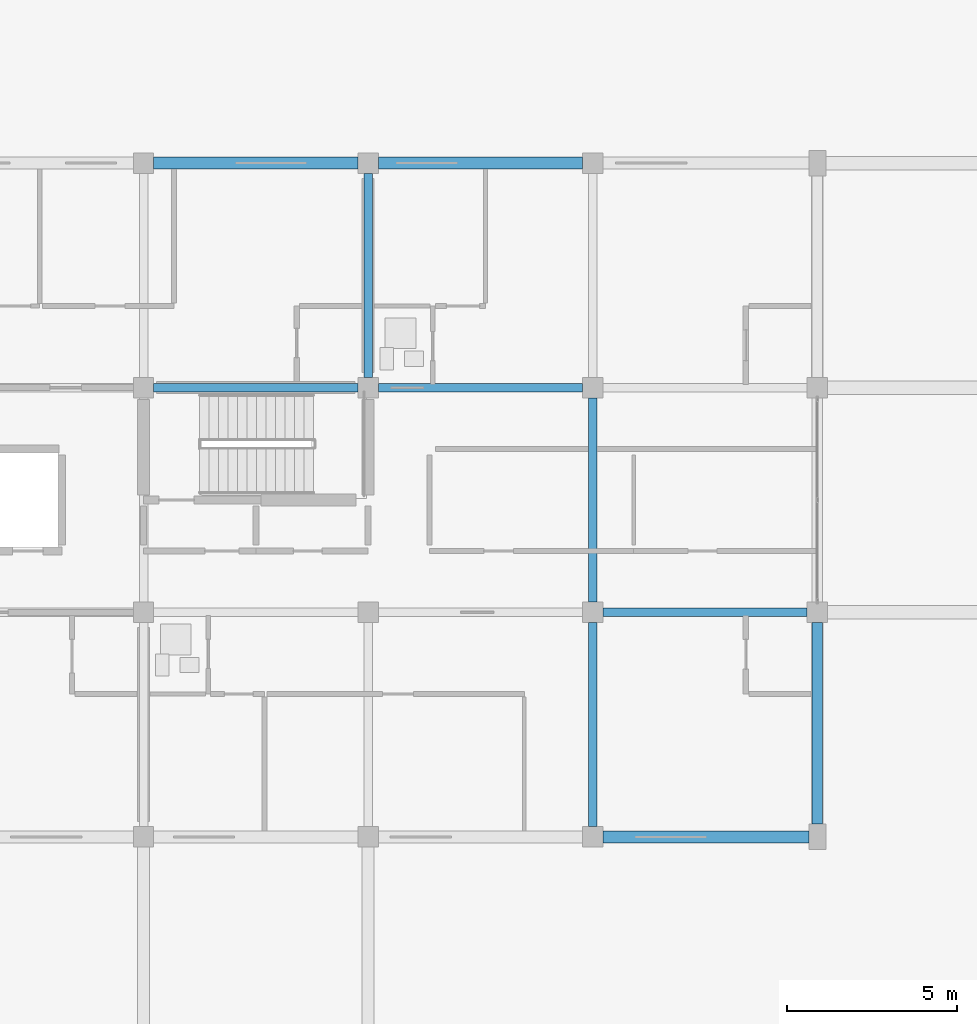
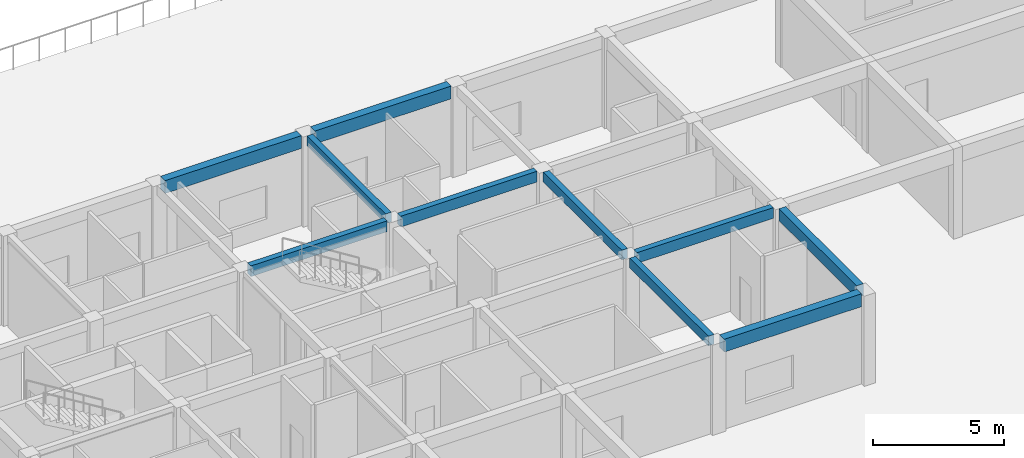
# One storey, part 36 of 92: 10 beams.
"""IFC4 building model written with IfcOpenShell, lengths in metres."""

from ifc_helpers import new_model, si_unit, direction, frame, origin, origin_2d, place, context, subcontext, project, spatial, rectangle, extrude, material, material_profile, profile_set, type_object, element, save


model = new_model("IFC4")

# Units and contexts
model_context = context("Model", 3, precision=1e-05, world=origin(), true_north=direction((0.0, 1.0)))
body_context = subcontext(model_context, "Body", "Model", "MODEL_VIEW")
ifc_project = project(units=[si_unit("LENGTHUNIT", "METRE"), si_unit("AREAUNIT", "SQUARE_METRE"), si_unit("VOLUMEUNIT", "CUBIC_METRE"), si_unit("PLANEANGLEUNIT", "RADIAN"), si_unit("MASSUNIT", "GRAM", prefix="KILO")], contexts=[model_context])

# Site, building, storey
site_placement = place(None, origin())
site = spatial("IfcSite", under=ifc_project, at=site_placement, CompositionType="ELEMENT")
building_placement = place(site_placement, origin())
building = spatial("IfcBuilding", under=site, at=building_placement, Name="Kernevlak Ridge Housing Community", CompositionType="ELEMENT")
storey_placement = place(building_placement, frame((0.0, 0.0, 4.199951171875)))
storey = spatial("IfcBuildingStorey", under=building, at=storey_placement, Name="L01", CompositionType="ELEMENT", Elevation=4.199951171875)

# Beams
ifc_material = material(Name="Concrete C35/45", Category="concrete")
ifc_material_profile_1 = material_profile(ifc_material, rectangle(XDim=0.25, YDim=0.449951171875, at=origin_2d()), Name="RC 250x450")
ifc_profile_set_1 = profile_set([ifc_material_profile_1], Name="Concrete C35/45")
beam_type_1 = type_object("IfcBeamType", Name="B-04", PredefinedType="T_BEAM", material=ifc_profile_set_1)
for number, where, z_axis, x_axis, name in (
    (1, (35.39990234375, 89.5, 3.97509765625), (0.0, 1.0, 0.0), (-1.0, 0.0, 0.0), "Beam B-04 L01 102"),
    (2, (42.0, 76.300048828125, 3.97509765625), (0.0, 1.0, 0.0), (-1.0, 0.0, 0.0), "Beam B-04 L01 103"),
    (3, (42.0, 82.89990234375, 3.97509765625), (0.0, 1.0, 0.0), (-1.0, 0.0, 0.0), "Beam B-04 L01 104"),
):
    element("IfcBeam", number, at=place(storey_placement, frame(where, z_axis=z_axis, x_axis=x_axis)), inside=storey, type_object=beam_type_1, Name=name, PredefinedType="T_BEAM", context=body_context, shape_type="SweptSolid", body=[
        extrude(rectangle(XDim=0.25, YDim=0.449951171875, at=origin_2d()), origin(), (0.0, 0.0, 1.0), 6.0),
    ])
ifc_material_profile_2 = material_profile(ifc_material, rectangle(XDim=0.25, YDim=0.5, at=origin_2d()), Name="RC 250x500")
ifc_profile_set_2 = profile_set([ifc_material_profile_2], Name="Concrete C35/45")
beam_type_2 = type_object("IfcBeamType", Name="B-06", PredefinedType="T_BEAM", material=ifc_profile_set_2)
for number, where, z_axis, x_axis, name in (
    (4, (42.300048828125, 82.60009765625, 3.949951171875), (1.0, 0.0, 0.0), (0.0, 1.0, 0.0), "Beam B-06 L01 82"),
    (5, (29.10009765625, 89.199951171875, 3.949951171875), (1.0, 0.0, 0.0), (0.0, 1.0, 0.0), "Beam B-06 L01 85"),
    (6, (35.699951171875, 89.199951171875, 3.949951171875), (1.0, 0.0, 0.0), (0.0, 1.0, 0.0), "Beam B-06 L01 86"),
):
    element("IfcBeam", number, at=place(storey_placement, frame(where, z_axis=z_axis, x_axis=x_axis)), inside=storey, type_object=beam_type_2, Name=name, PredefinedType="T_BEAM", context=body_context, shape_type="SweptSolid", body=[
        extrude(rectangle(XDim=0.25, YDim=0.5, at=origin_2d()), origin(), (0.0, 0.0, 1.0), 6.0),
    ])
ifc_material_profile_3 = material_profile(ifc_material, rectangle(XDim=0.300048828125, YDim=0.550048828125, at=origin_2d()), Name="RC 300x550")
ifc_profile_set_3 = profile_set([ifc_material_profile_3], Name="Concrete C35/45")
beam_type_3 = type_object("IfcBeamType", Name="SP-01", PredefinedType="SPANDREL", material=ifc_profile_set_3)
beam_1_placement = place(storey_placement, frame((48.60009765625, 76.375, 3.925048828125), z_axis=(0.0, 1.0, 0.0), x_axis=(-1.0, 0.0, 0.0)))
element("IfcBeam", 7, at=beam_1_placement, inside=storey, type_object=beam_type_3, Name="Beam SP-01 L01 106", PredefinedType="SPANDREL", context=body_context, shape_type="SweptSolid", body=[
    extrude(rectangle(XDim=0.300048828125, YDim=0.550048828125, at=origin_2d()), origin(), (0.0, 0.0, 1.0), 5.925048828125),
])
ifc_material_profile_4 = material_profile(ifc_material, rectangle(XDim=0.35009765625, YDim=0.60009765625, at=origin_2d()), Name="RC 350x600")
ifc_profile_set_4 = profile_set([ifc_material_profile_4], Name="Concrete C35/45")
beam_type_4 = type_object("IfcBeamType", Name="SP-03", PredefinedType="SPANDREL", material=ifc_profile_set_4)
beam_2_placement = place(storey_placement, frame((42.300048828125, 76.0, 3.900146484375), z_axis=(1.0, 0.0, 0.0), x_axis=(0.0, 1.0, 0.0)))
element("IfcBeam", 8, at=beam_2_placement, inside=storey, type_object=beam_type_4, Name="Beam SP-03 L01 77", PredefinedType="SPANDREL", context=body_context, shape_type="SweptSolid", body=[
    extrude(rectangle(XDim=0.35009765625, YDim=0.60009765625, at=origin_2d()), origin(), (0.0, 0.0, 1.0), 6.050048828125),
])
for number, where, z_axis, x_axis, name in (
    (9, (29.10009765625, 95.800048828125, 3.900146484375), (1.0, 0.0, 0.0), (0.0, 1.0, 0.0), "Beam SP-03 L01 90"),
    (10, (35.699951171875, 95.800048828125, 3.900146484375), (1.0, 0.0, 0.0), (0.0, 1.0, 0.0), "Beam SP-03 L01 91"),
):
    element("IfcBeam", number, at=place(storey_placement, frame(where, z_axis=z_axis, x_axis=x_axis)), inside=storey, type_object=beam_type_4, Name=name, PredefinedType="SPANDREL", context=body_context, shape_type="SweptSolid", body=[
        extrude(rectangle(XDim=0.35009765625, YDim=0.60009765625, at=origin_2d()), origin(), (0.0, 0.0, 1.0), 6.0),
    ])

save(model, "model.ifc")
